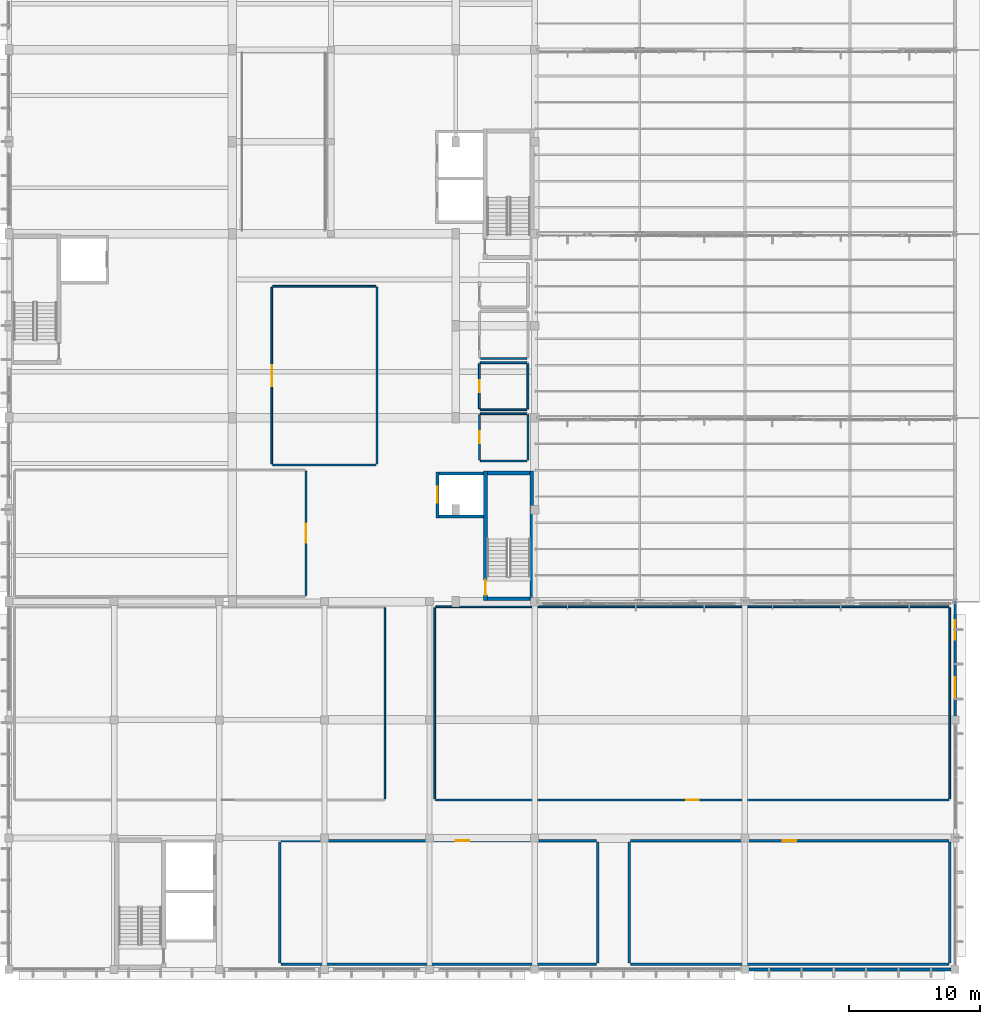
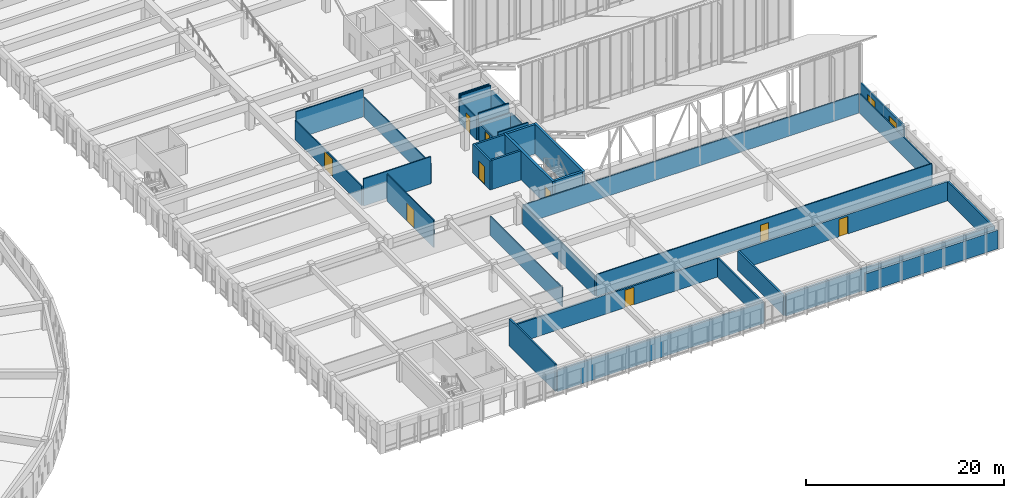
# One storey, part 123 of 155: 36 walls, 9 doors, 2 windows, 11 openings.
"""IFC4 building model written with IfcOpenShell, lengths in metres."""

from ifc_helpers import new_model, si_unit, direction, frame, frame_2d, origin, place, context, subcontext, project, spatial, rectangle, extrude, material, layer, layer_set, type_object, element, fill, save


model = new_model("IFC4")

# Units and contexts
model_context = context("Model", 3, precision=1e-05, world=origin(), true_north=direction((0.0, 1.0)))
body_context = subcontext(model_context, "Body", "Model", "MODEL_VIEW")
ifc_project = project(units=[si_unit("LENGTHUNIT", "METRE"), si_unit("AREAUNIT", "SQUARE_METRE"), si_unit("VOLUMEUNIT", "CUBIC_METRE"), si_unit("PLANEANGLEUNIT", "RADIAN"), si_unit("MASSUNIT", "GRAM", prefix="KILO")], contexts=[model_context])

# Site, building, storey
site_placement = place(None, origin())
site = spatial("IfcSite", under=ifc_project, at=site_placement, CompositionType="ELEMENT")
building_placement = place(site_placement, origin())
building = spatial("IfcBuilding", under=site, at=building_placement, Name="Larkveld Mobility Hub", CompositionType="ELEMENT")
storey_placement = place(building_placement, frame((0.0, 0.0, 8.39990234375)))
storey = spatial("IfcBuildingStorey", under=building, at=storey_placement, Name="L02", CompositionType="ELEMENT", Elevation=8.39990234375)

# Wall, openings, windows
ifc_material_1 = material(Name="Glazed architectural ceramic masonry 20 MPa", Category="masonry")
ifc_layer_1 = layer(ifc_material_1, 0.179931640625, Name="Glazed architectural ceramic masonry 20 MPa", Category="masonry")
ifc_layer_set_1 = layer_set([ifc_layer_1], Name="Glazed architectural ceramic masonry 20 MPa")
wall_type_1 = type_object("IfcWallType", Name="WL-COB-180", PredefinedType="USERDEFINED", material=ifc_layer_set_1)
wall_1_placement = place(storey_placement, frame((184.0, 19.31005859375, 0.0), z_axis=(0.0, 0.0, 1.0), x_axis=(0.0, 1.0, 0.0)))
wall_1 = element("IfcWall", 1, at=wall_1_placement, inside=storey, type_object=wall_type_1, Name="Service Wing East Cobogo Screen L02-0210", ObjectType="CERAMIC COBOGO SCREEN", PredefinedType="USERDEFINED", context=body_context, shape_type="SweptSolid", body=[
    extrude(rectangle(XDim=8.68994140625, YDim=0.179931640625, at=frame_2d((4.344970703125, 0.0))), origin(), (0.0, 0.0, 1.0), 3.335205078125),
])
opening_1_placement = place(wall_1_placement, frame((1.423095703125, 0.0, 0.949951171875)))
opening_1 = element("IfcOpeningElement", 2, at=opening_1_placement, cuts=wall_1, Name="Opening W11", PredefinedType="OPENING", context=body_context, shape_type="SweptSolid", body=[
    extrude(rectangle(XDim=1.5, YDim=1.800048828125, at=frame_2d((0.75, 0.89990234375))), frame((0.0, 0.10009765625, 0.0), z_axis=(0.0, -1.0, 0.0), x_axis=(1.0, 0.0, 0.0)), (0.0, 0.0, 1.0), 0.199951171875),
])
opening_2_placement = place(wall_1_placement, frame((5.76806640625, 0.0, 0.949951171875)))
opening_2 = element("IfcOpeningElement", 3, at=opening_2_placement, cuts=wall_1, Name="Opening W11", PredefinedType="OPENING", context=body_context, shape_type="SweptSolid", body=[
    extrude(rectangle(XDim=1.5, YDim=1.800048828125, at=frame_2d((0.75, 0.89990234375))), frame((0.0, 0.10009765625, 0.0), z_axis=(0.0, -1.0, 0.0), x_axis=(1.0, 0.0, 0.0)), (0.0, 0.0, 1.0), 0.199951171875),
])
ifc_material_2 = material(Name="Low-E double glazing in aluminium frame", Category="aluminium")
window_type = type_object("IfcWindowType", Name="WN-ALU-11", PartitioningType="SINGLE_PANEL", PredefinedType="WINDOW", material=ifc_material_2)
window_1_placement = place(opening_1_placement, origin())
window_1 = element("IfcWindow", 4, at=window_1_placement, inside=storey, type_object=window_type, Name="Window W11 (1005)", OverallHeight=1.800048828125, OverallWidth=1.5, PartitioningType="SINGLE_PANEL", PredefinedType="WINDOW", context=body_context, shape_type="SweptSolid", body=[
    extrude(rectangle(XDim=1.5, YDim=1.800048828125, at=frame_2d((0.75, 0.89990234375))), frame((0.0, 0.030029296875, 0.0), z_axis=(0.0, -1.0, 0.0), x_axis=(1.0, 0.0, 0.0)), (0.0, 0.0, 1.0), 0.06005859375),
])
fill(opening_1, window_1)
window_2_placement = place(opening_2_placement, origin())
window_2 = element("IfcWindow", 5, at=window_2_placement, inside=storey, type_object=window_type, Name="Window W11 (1006)", OverallHeight=1.800048828125, OverallWidth=1.5, PartitioningType="SINGLE_PANEL", PredefinedType="WINDOW", context=body_context, shape_type="SweptSolid", body=[
    extrude(rectangle(XDim=1.5, YDim=1.800048828125, at=frame_2d((0.75, 0.89990234375))), frame((0.0, 0.030029296875, 0.0), z_axis=(0.0, -1.0, 0.0), x_axis=(1.0, 0.0, 0.0)), (0.0, 0.0, 1.0), 0.06005859375),
])
fill(opening_2, window_2)

# Wall
ifc_layer_2 = layer(ifc_material_1, 0.2451171875, Name="Glazed architectural ceramic masonry 20 MPa", Category="masonry")
ifc_layer_set_2 = layer_set([ifc_layer_2], Name="Glazed architectural ceramic masonry 20 MPa")
wall_type_2 = type_object("IfcWallType", Name="WL-COB-245", PredefinedType="USERDEFINED", material=ifc_layer_set_2)
wall_2_placement = place(storey_placement, frame((168.31005859375, 0.0, 0.0), z_axis=(0.0, 0.0, 1.0), x_axis=(1.0, 0.0, 0.0)))
element("IfcWall", 6, at=wall_2_placement, inside=storey, type_object=wall_type_2, Name="Service Wing South Ventilated Facade L02-0209", ObjectType="CERAMIC COBOGO SCREEN", PredefinedType="USERDEFINED", context=body_context, shape_type="SweptSolid", body=[
    extrude(rectangle(XDim=15.3798828125, YDim=0.2451171875, at=frame_2d((7.68994140625, 0.0))), origin(), (0.0, 0.0, 1.0), 2.295166015625),
])

# Wall, opening, door
ifc_material_3 = material(Name="Concrete C40/50", Category="concrete")
ifc_layer_3 = layer(ifc_material_3, 0.280029296875, Name="Concrete C40/50", Category="concrete")
ifc_layer_set_3 = layer_set([ifc_layer_3], Name="Concrete C40/50")
wall_type_3 = type_object("IfcWallType", Name="WL-CORE-280", PredefinedType="SHEAR", material=ifc_layer_set_3)
wall_3_placement = place(storey_placement, frame((148.260009765625, 28.070068359375, 0.0), z_axis=(0.0, 0.0, 1.0), x_axis=(0.0, 1.0, 0.0)))
wall_3 = element("IfcWall", 7, at=wall_3_placement, inside=storey, type_object=wall_type_3, Name="Core C1 Stair Shear Wall L02-W", PredefinedType="SHEAR", context=body_context, shape_type="SweptSolid", body=[
    extrude(rectangle(XDim=9.85986328125, YDim=0.280029296875, at=frame_2d((4.929931640625, 0.0))), origin(), (0.0, 0.0, 1.0), 3.60009765625),
])
opening_3_placement = place(wall_3_placement, frame((0.429931640625, 0.0, 0.0)))
opening_3 = element("IfcOpeningElement", 8, at=opening_3_placement, cuts=wall_3, Name="Opening DF01", PredefinedType="OPENING", context=body_context, shape_type="SweptSolid", body=[
    extrude(rectangle(XDim=1.14990234375, YDim=2.14990234375, at=frame_2d((0.574951171875, 1.074951171875))), frame((0.0, 0.14990234375, 0.0), z_axis=(0.0, -1.0, 0.0), x_axis=(1.0, 0.0, 0.0)), (0.0, 0.0, 1.0), 0.300048828125),
])
ifc_material_4 = material(Name="Pressed Steel S355JR fire door assembly", Category="steel")
door_type_1 = type_object("IfcDoorType", Name="DR-FD120", OperationType="NOTDEFINED", PredefinedType="DOOR", material=ifc_material_4)
door_1_placement = place(opening_3_placement, origin())
door_1 = element("IfcDoor", 9, at=door_1_placement, inside=storey, type_object=door_type_1, Name="Stair ST1 Fire Door L02", OperationType="SINGLE_SWING_RIGHT", OverallHeight=2.14990234375, OverallWidth=1.14990234375, PredefinedType="DOOR", context=body_context, shape_type="SweptSolid", body=[
    extrude(rectangle(XDim=1.14990234375, YDim=2.14990234375, at=frame_2d((0.574951171875, 1.074951171875))), frame((0.0, 0.02490234375, 0.0), z_axis=(0.0, -1.0, 0.0), x_axis=(1.0, 0.0, 0.0)), (0.0, 0.0, 1.0), 0.050048828125),
])
fill(opening_3, door_1)

# Walls
wall_4_placement = place(storey_placement, frame((151.7900390625, 37.929931640625, 0.0), z_axis=(0.0, 0.0, 1.0), x_axis=(0.0, -1.0, 0.0)))
element("IfcWall", 10, at=wall_4_placement, inside=storey, type_object=wall_type_3, Name="Core C1 Stair Shear Wall L02-E", PredefinedType="SHEAR", context=body_context, shape_type="SweptSolid", body=[
    extrude(rectangle(XDim=9.85986328125, YDim=0.280029296875, at=frame_2d((4.929931640625, 0.0))), origin(), (0.0, 0.0, 1.0), 3.60009765625),
])
for number, where, z_axis, x_axis, name in (
    (11, (151.64990234375, 28.2099609375, 0.0), (0.0, 0.0, 1.0), (-1.0, 0.0, 0.0), "Core C1 Stair Shear Wall L02-S"),
    (12, (148.39990234375, 37.7900390625, 0.0), (0.0, 0.0, 1.0), (1.0, 0.0, 0.0), "Core C1 Stair Shear Wall L02-N"),
):
    element("IfcWall", number, at=place(storey_placement, frame(where, z_axis=z_axis, x_axis=x_axis)), inside=storey, type_object=wall_type_3, Name=name, PredefinedType="SHEAR", context=body_context, shape_type="SweptSolid", body=[
        extrude(rectangle(XDim=3.25, YDim=0.280029296875, at=frame_2d((1.625, 0.0))), origin(), (0.0, 0.0, 1.0), 3.60009765625),
    ])

# Wall, opening, door
ifc_material_5 = material(Name="Concrete blockwork masonry 14 MPa", Category="masonry")
ifc_layer_4 = layer(ifc_material_5, 0.1201171875, Name="Concrete blockwork masonry 14 MPa", Category="masonry")
ifc_layer_set_4 = layer_set([ifc_layer_4], Name="Concrete blockwork masonry 14 MPa")
wall_type_4 = type_object("IfcWallType", Name="WL-PRT-120", PredefinedType="PARTITIONING", material=ifc_layer_set_4)
wall_5_placement = place(storey_placement, frame((134.60009765625, 28.47998046875, 0.0), z_axis=(0.0, 0.0, 1.0), x_axis=(0.0, 1.0, 0.0)))
wall_5 = element("IfcWall", 13, at=wall_5_placement, inside=storey, type_object=wall_type_4, Name="Regional Coach Passenger Lounge Partition 0125", PredefinedType="PARTITIONING", context=body_context, shape_type="SweptSolid", body=[
    extrude(rectangle(XDim=9.43994140625, YDim=0.1201171875, at=frame_2d((4.719970703125, 0.0))), origin(), (0.0, 0.0, 1.0), 3.34521484375),
])
opening_4_placement = place(wall_5_placement, frame((3.9951171875, 0.0, 0.0)))
opening_4 = element("IfcOpeningElement", 14, at=opening_4_placement, cuts=wall_5, Name="Opening DI08", PredefinedType="OPENING", context=body_context, shape_type="SweptSolid", body=[
    extrude(rectangle(XDim=1.449951171875, YDim=2.199951171875, at=frame_2d((0.72509765625, 1.10009765625))), frame((0.0, 0.070068359375, 0.0), z_axis=(0.0, -1.0, 0.0), x_axis=(1.0, 0.0, 0.0)), (0.0, 0.0, 1.0), 0.14013671875),
])
ifc_material_6 = material(Name="Solid-core hardwood timber door in aluminium frame", Category="wood")
door_type_2 = type_object("IfcDoorType", Name="DR-INT-145", OperationType="NOTDEFINED", PredefinedType="DOOR", material=ifc_material_6)
door_2_placement = place(opening_4_placement, origin())
door_2 = element("IfcDoor", 15, at=door_2_placement, inside=storey, type_object=door_type_2, Name="Regional Coach Passenger Lounge Door 0032", OperationType="DOUBLE_DOOR_SINGLE_SWING", OverallHeight=2.199951171875, OverallWidth=1.449951171875, PredefinedType="DOOR", context=body_context, shape_type="SweptSolid", body=[
    extrude(rectangle(XDim=1.449951171875, YDim=2.199951171875, at=frame_2d((0.72509765625, 1.10009765625))), frame((0.0, 0.02490234375, 0.0), z_axis=(0.0, -1.0, 0.0), x_axis=(1.0, 0.0, 0.0)), (0.0, 0.0, 1.0), 0.050048828125),
])
fill(opening_4, door_2)

# Walls
wall_6_placement = place(storey_placement, frame((140.60009765625, 12.97998046875, 0.0), z_axis=(0.0, 0.0, 1.0), x_axis=(0.0, 1.0, 0.0)))
element("IfcWall", 16, at=wall_6_placement, inside=storey, type_object=wall_type_4, Name="Integrated Transit Operations Control Centre Partition 0146", PredefinedType="PARTITIONING", context=body_context, shape_type="SweptSolid", body=[
    extrude(rectangle(XDim=14.5400390625, YDim=0.1201171875, at=frame_2d((7.27001953125, 0.0))), origin(), (0.0, 0.0, 1.0), 2.34521484375),
])
ifc_layer_5 = layer(ifc_material_5, 0.1298828125, Name="Concrete blockwork masonry 14 MPa", Category="masonry")
ifc_layer_set_5 = layer_set([ifc_layer_5], Name="Concrete blockwork masonry 14 MPa")
wall_type_5 = type_object("IfcWallType", Name="WL-PRT-130", PredefinedType="PARTITIONING", material=ifc_layer_set_5)
for number, where, z_axis, x_axis, name in (
    (17, (132.080078125, 38.39990234375, 0.0), (0.0, 0.0, 1.0), (1.0, 0.0, 0.0), "Smart-Card Travel Kiosk Shop Partition 0126"),
    (18, (132.080078125, 52.0, 0.0), (0.0, 0.0, 1.0), (1.0, 0.0, 0.0), "Smart-Card Travel Kiosk Shop Partition 0127"),
):
    element("IfcWall", number, at=place(storey_placement, frame(where, z_axis=z_axis, x_axis=x_axis)), inside=storey, type_object=wall_type_5, Name=name, PredefinedType="PARTITIONING", context=body_context, shape_type="SweptSolid", body=[
        extrude(rectangle(XDim=7.83984375, YDim=0.1298828125, at=frame_2d((3.919921875, 0.0))), origin(), (0.0, 0.0, 1.0), 3.34521484375),
    ])

# Wall, opening, door
wall_7_placement = place(storey_placement, frame((132.0, 38.47998046875, 0.0), z_axis=(0.0, 0.0, 1.0), x_axis=(0.0, 1.0, 0.0)))
wall_7 = element("IfcWall", 19, at=wall_7_placement, inside=storey, type_object=wall_type_5, Name="Smart-Card Travel Kiosk Shop Partition 0128", PredefinedType="PARTITIONING", context=body_context, shape_type="SweptSolid", body=[
    extrude(rectangle(XDim=13.43994140625, YDim=0.1298828125, at=frame_2d((6.719970703125, 0.0))), origin(), (0.0, 0.0, 1.0), 2.39501953125),
])
opening_5_placement = place(wall_7_placement, frame((5.919921875, 0.0, 0.0)))
opening_5 = element("IfcOpeningElement", 20, at=opening_5_placement, cuts=wall_7, Name="Opening DI09", PredefinedType="OPENING", context=body_context, shape_type="SweptSolid", body=[
    extrude(rectangle(XDim=1.60009765625, YDim=2.14990234375, at=frame_2d((0.800048828125, 1.074951171875))), frame((0.0, 0.074951171875, 0.0), z_axis=(0.0, -1.0, 0.0), x_axis=(1.0, 0.0, 0.0)), (0.0, 0.0, 1.0), 0.14990234375),
])
door_type_3 = type_object("IfcDoorType", Name="DR-INT-160", OperationType="NOTDEFINED", PredefinedType="DOOR", material=ifc_material_6)
door_3_placement = place(opening_5_placement, origin())
door_3 = element("IfcDoor", 21, at=door_3_placement, inside=storey, type_object=door_type_3, Name="Smart-Card Travel Kiosk Shop Door 0033", OperationType="DOUBLE_DOOR_SINGLE_SWING", OverallHeight=2.14990234375, OverallWidth=1.60009765625, PredefinedType="DOOR", context=body_context, shape_type="SweptSolid", body=[
    extrude(rectangle(XDim=1.60009765625, YDim=2.14990234375, at=frame_2d((0.800048828125, 1.074951171875))), frame((0.0, 0.02490234375, 0.0), z_axis=(0.0, -1.0, 0.0), x_axis=(1.0, 0.0, 0.0)), (0.0, 0.0, 1.0), 0.050048828125),
])
fill(opening_5, door_3)

# Wall
wall_8_placement = place(storey_placement, frame((140.0, 38.47998046875, 0.0), z_axis=(0.0, 0.0, 1.0), x_axis=(0.0, 1.0, 0.0)))
element("IfcWall", 22, at=wall_8_placement, inside=storey, type_object=wall_type_5, Name="Smart-Card Travel Kiosk Shop Partition 0129", PredefinedType="PARTITIONING", context=body_context, shape_type="SweptSolid", body=[
    extrude(rectangle(XDim=13.43994140625, YDim=0.1298828125, at=frame_2d((6.719970703125, 0.0))), origin(), (0.0, 0.0, 1.0), 2.39501953125),
])

# Wall, opening, door
wall_9_placement = place(storey_placement, frame((144.47998046875, 12.89990234375, 0.0), z_axis=(0.0, 0.0, 1.0), x_axis=(1.0, 0.0, 0.0)))
wall_9 = element("IfcWall", 23, at=wall_9_placement, inside=storey, type_object=wall_type_5, Name="Driver Simulation and Safety Training Suite Partition 0147", PredefinedType="PARTITIONING", context=body_context, shape_type="SweptSolid", body=[
    extrude(rectangle(XDim=39.0400390625, YDim=0.1298828125, at=frame_2d((19.52001953125, 0.0))), origin(), (0.0, 0.0, 1.0), 2.695068359375),
])
opening_6_placement = place(wall_9_placement, frame((19.044921875, 0.0, 0.0)))
opening_6 = element("IfcOpeningElement", 24, at=opening_6_placement, cuts=wall_9, Name="Opening DI02", PredefinedType="OPENING", context=body_context, shape_type="SweptSolid", body=[
    extrude(rectangle(XDim=0.949951171875, YDim=2.10009765625, at=frame_2d((0.47509765625, 1.050048828125))), frame((0.0, 0.074951171875, 0.0), z_axis=(0.0, -1.0, 0.0), x_axis=(1.0, 0.0, 0.0)), (0.0, 0.0, 1.0), 0.14990234375),
])
door_type_4 = type_object("IfcDoorType", Name="DR-INT-095", OperationType="NOTDEFINED", PredefinedType="DOOR", material=ifc_material_6)
door_4_placement = place(opening_6_placement, origin())
door_4 = element("IfcDoor", 25, at=door_4_placement, inside=storey, type_object=door_type_4, Name="Driver Simulation and Safety Training Suite Door 0038", OperationType="SINGLE_SWING_LEFT", OverallHeight=2.10009765625, OverallWidth=0.949951171875, PredefinedType="DOOR", context=body_context, shape_type="SweptSolid", body=[
    extrude(rectangle(XDim=0.949951171875, YDim=2.10009765625, at=frame_2d((0.47509765625, 1.050048828125))), frame((0.0, 0.02490234375, 0.0), z_axis=(0.0, -1.0, 0.0), x_axis=(1.0, 0.0, 0.0)), (0.0, 0.0, 1.0), 0.050048828125),
])
fill(opening_6, door_4)

# Walls
wall_10_placement = place(storey_placement, frame((144.47998046875, 27.60009765625, 0.0), z_axis=(0.0, 0.0, 1.0), x_axis=(1.0, 0.0, 0.0)))
element("IfcWall", 26, at=wall_10_placement, inside=storey, type_object=wall_type_5, Name="Driver Simulation and Safety Training Suite Partition 0148", PredefinedType="PARTITIONING", context=body_context, shape_type="SweptSolid", body=[
    extrude(rectangle(XDim=39.0400390625, YDim=0.1298828125, at=frame_2d((19.52001953125, 0.0))), origin(), (0.0, 0.0, 1.0), 2.34521484375),
])
wall_11_placement = place(storey_placement, frame((144.39990234375, 12.97998046875, 0.0), z_axis=(0.0, 0.0, 1.0), x_axis=(0.0, 1.0, 0.0)))
element("IfcWall", 27, at=wall_11_placement, inside=storey, type_object=wall_type_5, Name="Driver Simulation and Safety Training Suite Partition 0149", PredefinedType="PARTITIONING", context=body_context, shape_type="SweptSolid", body=[
    extrude(rectangle(XDim=14.5400390625, YDim=0.1298828125, at=frame_2d((7.27001953125, 0.0))), origin(), (0.0, 0.0, 1.0), 2.4951171875),
])
wall_12_placement = place(storey_placement, frame((183.60009765625, 12.97998046875, 0.0), z_axis=(0.0, 0.0, 1.0), x_axis=(0.0, 1.0, 0.0)))
element("IfcWall", 28, at=wall_12_placement, inside=storey, type_object=wall_type_5, Name="Driver Simulation and Safety Training Suite Partition 0150", PredefinedType="PARTITIONING", context=body_context, shape_type="SweptSolid", body=[
    extrude(rectangle(XDim=14.5400390625, YDim=0.1298828125, at=frame_2d((7.27001953125, 0.0))), origin(), (0.0, 0.0, 1.0), 2.39501953125),
])
ifc_layer_6 = layer(ifc_material_5, 0.139892578125, Name="Concrete blockwork masonry 14 MPa", Category="masonry")
ifc_layer_set_6 = layer_set([ifc_layer_6], Name="Concrete blockwork masonry 14 MPa")
wall_type_6 = type_object("IfcWallType", Name="WL-PRT-140", PredefinedType="PARTITIONING", material=ifc_layer_set_6)
wall_13_placement = place(storey_placement, frame((147.8798828125, 38.699951171875, 0.0), z_axis=(0.0, 0.0, 1.0), x_axis=(1.0, 0.0, 0.0)))
element("IfcWall", 29, at=wall_13_placement, inside=storey, type_object=wall_type_6, Name="Male Public Toilet Partition 0107", PredefinedType="PARTITIONING", context=body_context, shape_type="SweptSolid", body=[
    extrude(rectangle(XDim=3.5341796875, YDim=0.139892578125, at=frame_2d((1.76708984375, 0.0))), origin(), (0.0, 0.0, 1.0), 3.34521484375),
])
wall_14_placement = place(storey_placement, frame((147.8798828125, 42.2939453125, 0.0), z_axis=(0.0, 0.0, 1.0), x_axis=(1.0, 0.0, 0.0)))
element("IfcWall", 30, at=wall_14_placement, inside=storey, type_object=wall_type_6, Name="Male Public Toilet Partition 0108", PredefinedType="PARTITIONING", context=body_context, shape_type="SweptSolid", body=[
    extrude(rectangle(XDim=3.5341796875, YDim=0.139892578125, at=frame_2d((1.76708984375, 0.0))), origin(), (0.0, 0.0, 1.0), 2.34521484375),
])

# Wall, opening, door
wall_15_placement = place(storey_placement, frame((147.800048828125, 38.780029296875, 0.0), z_axis=(0.0, 0.0, 1.0), x_axis=(0.0, 1.0, 0.0)))
wall_15 = element("IfcWall", 31, at=wall_15_placement, inside=storey, type_object=wall_type_6, Name="Male Public Toilet Partition 0109", PredefinedType="PARTITIONING", context=body_context, shape_type="SweptSolid", body=[
    extrude(rectangle(XDim=3.43408203125, YDim=0.139892578125, at=frame_2d((1.717041015625, 0.0))), origin(), (0.0, 0.0, 1.0), 2.34521484375),
])
opening_7_placement = place(wall_15_placement, frame((1.26708984375, 0.0, 0.0)))
opening_7 = element("IfcOpeningElement", 32, at=opening_7_placement, cuts=wall_15, Name="Opening DI01", PredefinedType="OPENING", context=body_context, shape_type="SweptSolid", body=[
    extrude(rectangle(XDim=0.89990234375, YDim=2.10009765625, at=frame_2d((0.449951171875, 1.050048828125))), frame((0.0, 0.080078125, 0.0), z_axis=(0.0, -1.0, 0.0), x_axis=(1.0, 0.0, 0.0)), (0.0, 0.0, 1.0), 0.159912109375),
])
door_type_5 = type_object("IfcDoorType", Name="DR-INT-090", OperationType="NOTDEFINED", PredefinedType="DOOR", material=ifc_material_6)
door_5_placement = place(opening_7_placement, origin())
door_5 = element("IfcDoor", 33, at=door_5_placement, inside=storey, type_object=door_type_5, Name="Male Public Toilet Door 0028", OperationType="SINGLE_SWING_LEFT", OverallHeight=2.10009765625, OverallWidth=0.89990234375, PredefinedType="DOOR", context=body_context, shape_type="SweptSolid", body=[
    extrude(rectangle(XDim=0.89990234375, YDim=2.10009765625, at=frame_2d((0.449951171875, 1.050048828125))), frame((0.0, 0.02490234375, 0.0), z_axis=(0.0, -1.0, 0.0), x_axis=(1.0, 0.0, 0.0)), (0.0, 0.0, 1.0), 0.050048828125),
])
fill(opening_7, door_5)

# Walls
wall_16_placement = place(storey_placement, frame((151.493896484375, 38.780029296875, 0.0), z_axis=(0.0, 0.0, 1.0), x_axis=(0.0, 1.0, 0.0)))
element("IfcWall", 34, at=wall_16_placement, inside=storey, type_object=wall_type_6, Name="Male Public Toilet Partition 0110", PredefinedType="PARTITIONING", context=body_context, shape_type="SweptSolid", body=[
    extrude(rectangle(XDim=3.43408203125, YDim=0.139892578125, at=frame_2d((1.717041015625, 0.0))), origin(), (0.0, 0.0, 1.0), 2.34521484375),
])
ifc_layer_7 = layer(ifc_material_5, 0.14990234375, Name="Concrete blockwork masonry 14 MPa", Category="masonry")
ifc_layer_set_7 = layer_set([ifc_layer_7], Name="Concrete blockwork masonry 14 MPa")
wall_type_7 = type_object("IfcWallType", Name="WL-PRT-150", PredefinedType="PARTITIONING", material=ifc_layer_set_7)
for number, where, z_axis, x_axis, name in (
    (35, (147.8798828125, 42.60009765625, 0.0), (0.0, 0.0, 1.0), (1.0, 0.0, 0.0), "Female Public Toilet Partition 0111"),
    (36, (147.8798828125, 46.194091796875, 0.0), (0.0, 0.0, 1.0), (1.0, 0.0, 0.0), "Female Public Toilet Partition 0112"),
):
    element("IfcWall", number, at=place(storey_placement, frame(where, z_axis=z_axis, x_axis=x_axis)), inside=storey, type_object=wall_type_7, Name=name, PredefinedType="PARTITIONING", context=body_context, shape_type="SweptSolid", body=[
        extrude(rectangle(XDim=3.5341796875, YDim=0.14990234375, at=frame_2d((1.76708984375, 0.0))), origin(), (0.0, 0.0, 1.0), 3.34521484375),
    ])

# Wall, opening, door
wall_17_placement = place(storey_placement, frame((147.800048828125, 42.679931640625, 0.0), z_axis=(0.0, 0.0, 1.0), x_axis=(0.0, 1.0, 0.0)))
wall_17 = element("IfcWall", 37, at=wall_17_placement, inside=storey, type_object=wall_type_7, Name="Female Public Toilet Partition 0113", PredefinedType="PARTITIONING", context=body_context, shape_type="SweptSolid", body=[
    extrude(rectangle(XDim=3.43408203125, YDim=0.14990234375, at=frame_2d((1.717041015625, 0.0))), origin(), (0.0, 0.0, 1.0), 2.755126953125),
])
opening_8_placement = place(wall_17_placement, frame((1.26708984375, 0.0, 0.0)))
opening_8 = element("IfcOpeningElement", 38, at=opening_8_placement, cuts=wall_17, Name="Opening DI01", PredefinedType="OPENING", context=body_context, shape_type="SweptSolid", body=[
    extrude(rectangle(XDim=0.89990234375, YDim=2.10009765625, at=frame_2d((0.449951171875, 1.050048828125))), frame((0.0, 0.0849609375, 0.0), z_axis=(0.0, -1.0, 0.0), x_axis=(1.0, 0.0, 0.0)), (0.0, 0.0, 1.0), 0.169921875),
])
door_6_placement = place(opening_8_placement, origin())
door_6 = element("IfcDoor", 39, at=door_6_placement, inside=storey, type_object=door_type_5, Name="Female Public Toilet Door 0029", OperationType="SINGLE_SWING_RIGHT", OverallHeight=2.10009765625, OverallWidth=0.89990234375, PredefinedType="DOOR", context=body_context, shape_type="SweptSolid", body=[
    extrude(rectangle(XDim=0.89990234375, YDim=2.10009765625, at=frame_2d((0.449951171875, 1.050048828125))), frame((0.0, 0.02490234375, 0.0), z_axis=(0.0, -1.0, 0.0), x_axis=(1.0, 0.0, 0.0)), (0.0, 0.0, 1.0), 0.050048828125),
])
fill(opening_8, door_6)

# Walls
wall_18_placement = place(storey_placement, frame((151.493896484375, 42.679931640625, 0.0), z_axis=(0.0, 0.0, 1.0), x_axis=(0.0, 1.0, 0.0)))
element("IfcWall", 40, at=wall_18_placement, inside=storey, type_object=wall_type_7, Name="Female Public Toilet Partition 0114", PredefinedType="PARTITIONING", context=body_context, shape_type="SweptSolid", body=[
    extrude(rectangle(XDim=3.43408203125, YDim=0.14990234375, at=frame_2d((1.717041015625, 0.0))), origin(), (0.0, 0.0, 1.0), 2.755126953125),
])
ifc_layer_8 = layer(ifc_material_5, 0.1650390625, Name="Concrete blockwork masonry 14 MPa", Category="masonry")
ifc_layer_set_8 = layer_set([ifc_layer_8], Name="Concrete blockwork masonry 14 MPa")
wall_type_8 = type_object("IfcWallType", Name="WL-PRT-165", PredefinedType="PARTITIONING", material=ifc_layer_set_8)
wall_19_placement = place(storey_placement, frame((147.8798828125, 46.5, 0.0), z_axis=(0.0, 0.0, 1.0), x_axis=(1.0, 0.0, 0.0)))
element("IfcWall", 41, at=wall_19_placement, inside=storey, type_object=wall_type_8, Name="Accessible Unisex Toilet Partition 0115", PredefinedType="PARTITIONING", context=body_context, shape_type="SweptSolid", body=[
    extrude(rectangle(XDim=3.5341796875, YDim=0.1650390625, at=frame_2d((1.76708984375, 0.0))), origin(), (0.0, 0.0, 1.0), 3.34521484375),
])
ifc_layer_9 = layer(ifc_material_5, 0.195068359375, Name="Concrete blockwork masonry 14 MPa", Category="masonry")
ifc_layer_set_9 = layer_set([ifc_layer_9], Name="Concrete blockwork masonry 14 MPa")
wall_type_9 = type_object("IfcWallType", Name="WL-PRT-195", PredefinedType="PARTITIONING", material=ifc_layer_set_9)
wall_20_placement = place(storey_placement, frame((132.679931640625, 0.39990234375, 0.0), z_axis=(0.0, 0.0, 1.0), x_axis=(1.0, 0.0, 0.0)))
element("IfcWall", 42, at=wall_20_placement, inside=storey, type_object=wall_type_9, Name="UPS and Traction Control Switchroom Plant Room Partition 0151", PredefinedType="PARTITIONING", context=body_context, shape_type="SweptSolid", body=[
    extrude(rectangle(XDim=24.0400390625, YDim=0.195068359375, at=frame_2d((12.02001953125, 0.0))), origin(), (0.0, 0.0, 1.0), 2.695068359375),
])

# Wall, opening, door
wall_21_placement = place(storey_placement, frame((132.679931640625, 9.800048828125, 0.0), z_axis=(0.0, 0.0, 1.0), x_axis=(1.0, 0.0, 0.0)))
wall_21 = element("IfcWall", 43, at=wall_21_placement, inside=storey, type_object=wall_type_9, Name="UPS and Traction Control Switchroom Plant Room Partition 0152", PredefinedType="PARTITIONING", context=body_context, shape_type="SweptSolid", body=[
    extrude(rectangle(XDim=24.0400390625, YDim=0.195068359375, at=frame_2d((12.02001953125, 0.0))), origin(), (0.0, 0.0, 1.0), 2.34521484375),
])
opening_9_placement = place(wall_21_placement, frame((13.31005859375, 0.0, 0.0)))
opening_9 = element("IfcOpeningElement", 44, at=opening_9_placement, cuts=wall_21, Name="Opening DF02", PredefinedType="OPENING", context=body_context, shape_type="SweptSolid", body=[
    extrude(rectangle(XDim=1.050048828125, YDim=2.14990234375, at=frame_2d((0.52490234375, 1.074951171875))), frame((0.0, 0.107421875, 0.0), z_axis=(0.0, -1.0, 0.0), x_axis=(1.0, 0.0, 0.0)), (0.0, 0.0, 1.0), 0.215087890625),
])
door_type_6 = type_object("IfcDoorType", Name="DR-FD60", OperationType="NOTDEFINED", PredefinedType="DOOR", material=ifc_material_4)
door_7_placement = place(opening_9_placement, origin())
door_7 = element("IfcDoor", 45, at=door_7_placement, inside=storey, type_object=door_type_6, Name="UPS and Traction Control Switchroom Plant Room Door 0039", OperationType="SINGLE_SWING_RIGHT", OverallHeight=2.14990234375, OverallWidth=1.050048828125, PredefinedType="DOOR", context=body_context, shape_type="SweptSolid", body=[
    extrude(rectangle(XDim=1.050048828125, YDim=2.14990234375, at=frame_2d((0.52490234375, 1.074951171875))), frame((0.0, 0.02490234375, 0.0), z_axis=(0.0, -1.0, 0.0), x_axis=(1.0, 0.0, 0.0)), (0.0, 0.0, 1.0), 0.050048828125),
])
fill(opening_9, door_7)

# Walls
wall_22_placement = place(storey_placement, frame((132.60009765625, 0.47998046875, 0.0), z_axis=(0.0, 0.0, 1.0), x_axis=(0.0, 1.0, 0.0)))
element("IfcWall", 46, at=wall_22_placement, inside=storey, type_object=wall_type_9, Name="UPS and Traction Control Switchroom Plant Room Partition 0153", PredefinedType="PARTITIONING", context=body_context, shape_type="SweptSolid", body=[
    extrude(rectangle(XDim=9.239990234375, YDim=0.195068359375, at=frame_2d((4.6201171875, 0.0))), origin(), (0.0, 0.0, 1.0), 3.34521484375),
])
wall_23_placement = place(storey_placement, frame((156.800048828125, 0.47998046875, 0.0), z_axis=(0.0, 0.0, 1.0), x_axis=(0.0, 1.0, 0.0)))
element("IfcWall", 47, at=wall_23_placement, inside=storey, type_object=wall_type_9, Name="UPS and Traction Control Switchroom Plant Room Partition 0154", PredefinedType="PARTITIONING", context=body_context, shape_type="SweptSolid", body=[
    extrude(rectangle(XDim=9.239990234375, YDim=0.195068359375, at=frame_2d((4.6201171875, 0.0))), origin(), (0.0, 0.0, 1.0), 2.39501953125),
])
ifc_layer_10 = layer(ifc_material_5, 0.2099609375, Name="Concrete blockwork masonry 14 MPa", Category="masonry")
ifc_layer_set_10 = layer_set([ifc_layer_10], Name="Concrete blockwork masonry 14 MPa")
wall_type_10 = type_object("IfcWallType", Name="WL-PRT-210", PredefinedType="PARTITIONING", material=ifc_layer_set_10)
wall_24_placement = place(storey_placement, frame((159.280029296875, 0.39990234375, 0.0), z_axis=(0.0, 0.0, 1.0), x_axis=(1.0, 0.0, 0.0)))
element("IfcWall", 48, at=wall_24_placement, inside=storey, type_object=wall_type_10, Name="Concourse Air-Handling Plant Room Partition 0155", PredefinedType="PARTITIONING", context=body_context, shape_type="SweptSolid", body=[
    extrude(rectangle(XDim=24.239990234375, YDim=0.2099609375, at=frame_2d((12.1201171875, 0.0))), origin(), (0.0, 0.0, 1.0), 2.695068359375),
])

# Wall, opening, door
wall_25_placement = place(storey_placement, frame((159.280029296875, 9.800048828125, 0.0), z_axis=(0.0, 0.0, 1.0), x_axis=(1.0, 0.0, 0.0)))
wall_25 = element("IfcWall", 49, at=wall_25_placement, inside=storey, type_object=wall_type_10, Name="Concourse Air-Handling Plant Room Partition 0156", PredefinedType="PARTITIONING", context=body_context, shape_type="SweptSolid", body=[
    extrude(rectangle(XDim=24.239990234375, YDim=0.2099609375, at=frame_2d((12.1201171875, 0.0))), origin(), (0.0, 0.0, 1.0), 2.39501953125),
])
opening_10_placement = place(wall_25_placement, frame((11.594970703125, 0.0, 0.0)))
opening_10 = element("IfcOpeningElement", 50, at=opening_10_placement, cuts=wall_25, Name="Opening DF02", PredefinedType="OPENING", context=body_context, shape_type="SweptSolid", body=[
    extrude(rectangle(XDim=1.050048828125, YDim=2.14990234375, at=frame_2d((0.52490234375, 1.074951171875))), frame((0.0, 0.114990234375, 0.0), z_axis=(0.0, -1.0, 0.0), x_axis=(1.0, 0.0, 0.0)), (0.0, 0.0, 1.0), 0.22998046875),
])
door_8_placement = place(opening_10_placement, origin())
door_8 = element("IfcDoor", 51, at=door_8_placement, inside=storey, type_object=door_type_6, Name="Concourse Air-Handling Plant Room Door 0040", OperationType="SINGLE_SWING_LEFT", OverallHeight=2.14990234375, OverallWidth=1.050048828125, PredefinedType="DOOR", context=body_context, shape_type="SweptSolid", body=[
    extrude(rectangle(XDim=1.050048828125, YDim=2.14990234375, at=frame_2d((0.52490234375, 1.074951171875))), frame((0.0, 0.02490234375, 0.0), z_axis=(0.0, -1.0, 0.0), x_axis=(1.0, 0.0, 0.0)), (0.0, 0.0, 1.0), 0.050048828125),
])
fill(opening_10, door_8)

# Walls
for number, where, z_axis, x_axis, name in (
    (52, (159.199951171875, 0.47998046875, 0.0), (0.0, 0.0, 1.0), (0.0, 1.0, 0.0), "Concourse Air-Handling Plant Room Partition 0157"),
    (53, (183.60009765625, 0.47998046875, 0.0), (0.0, 0.0, 1.0), (0.0, 1.0, 0.0), "Concourse Air-Handling Plant Room Partition 0158"),
):
    element("IfcWall", number, at=place(storey_placement, frame(where, z_axis=z_axis, x_axis=x_axis)), inside=storey, type_object=wall_type_10, Name=name, PredefinedType="PARTITIONING", context=body_context, shape_type="SweptSolid", body=[
        extrude(rectangle(XDim=9.239990234375, YDim=0.2099609375, at=frame_2d((4.6201171875, 0.0))), origin(), (0.0, 0.0, 1.0), 2.39501953125),
    ])

# Wall, opening, door
ifc_layer_11 = layer(ifc_material_3, 0.219970703125, Name="Concrete C40/50", Category="concrete")
ifc_layer_set_11 = layer_set([ifc_layer_11], Name="Concrete C40/50")
wall_type_11 = type_object("IfcWallType", Name="WL-SHF-220", PredefinedType="SHEAR", material=ifc_layer_set_11)
wall_26_placement = place(storey_placement, frame((144.610107421875, 34.3798828125, 0.0), z_axis=(0.0, 0.0, 1.0), x_axis=(0.0, 1.0, 0.0)))
wall_26 = element("IfcWall", 54, at=wall_26_placement, inside=storey, type_object=wall_type_11, Name="Lift FL1 Shaft Wall L02-W", PredefinedType="SHEAR", context=body_context, shape_type="SweptSolid", body=[
    extrude(rectangle(XDim=3.490234375, YDim=0.219970703125, at=frame_2d((1.7451171875, 0.0))), origin(), (0.0, 0.0, 1.0), 3.60009765625),
])
opening_11_placement = place(wall_26_placement, frame((1.14501953125, 0.0, 0.0)))
opening_11 = element("IfcOpeningElement", 55, at=opening_11_placement, cuts=wall_26, Name="Opening LD02", PredefinedType="OPENING", context=body_context, shape_type="SweptSolid", body=[
    extrude(rectangle(XDim=1.199951171875, YDim=2.199951171875, at=frame_2d((0.60009765625, 1.10009765625))), frame((0.0, 0.1201171875, 0.0), z_axis=(0.0, -1.0, 0.0), x_axis=(1.0, 0.0, 0.0)), (0.0, 0.0, 1.0), 0.239990234375),
])
ifc_material_7 = material(Name="Brushed stainless Steel S355JR sliding landing door", Category="steel")
door_type_7 = type_object("IfcDoorType", Name="DR-LD-120", OperationType="DOUBLE_DOOR_SLIDING", PredefinedType="DOOR", material=ifc_material_7)
door_9_placement = place(opening_11_placement, origin())
door_9 = element("IfcDoor", 56, at=door_9_placement, inside=storey, type_object=door_type_7, Name="Lift landing door FL1-L02", OperationType="DOUBLE_DOOR_SLIDING", OverallHeight=2.199951171875, OverallWidth=1.199951171875, PredefinedType="DOOR", context=body_context, shape_type="SweptSolid", body=[
    extrude(rectangle(XDim=1.199951171875, YDim=2.199951171875, at=frame_2d((0.60009765625, 1.10009765625))), frame((0.0, 0.02490234375, 0.0), z_axis=(0.0, -1.0, 0.0), x_axis=(1.0, 0.0, 0.0)), (0.0, 0.0, 1.0), 0.050048828125),
])
fill(opening_11, door_9)

# Walls
for number, where, z_axis, x_axis, name in (
    (57, (148.1201171875, 34.489990234375, 0.0), (0.0, 0.0, 1.0), (-1.0, 0.0, 0.0), "Lift FL1 Shaft Wall L02-S"),
    (58, (144.719970703125, 37.760009765625, 0.0), (0.0, 0.0, 1.0), (1.0, 0.0, 0.0), "Lift FL1 Shaft Wall L02-N"),
):
    element("IfcWall", number, at=place(storey_placement, frame(where, z_axis=z_axis, x_axis=x_axis)), inside=storey, type_object=wall_type_11, Name=name, PredefinedType="SHEAR", context=body_context, shape_type="SweptSolid", body=[
        extrude(rectangle(XDim=3.400146484375, YDim=0.219970703125, at=frame_2d((1.7001953125, 0.0))), origin(), (0.0, 0.0, 1.0), 3.60009765625),
    ])

save(model, "model.ifc")
